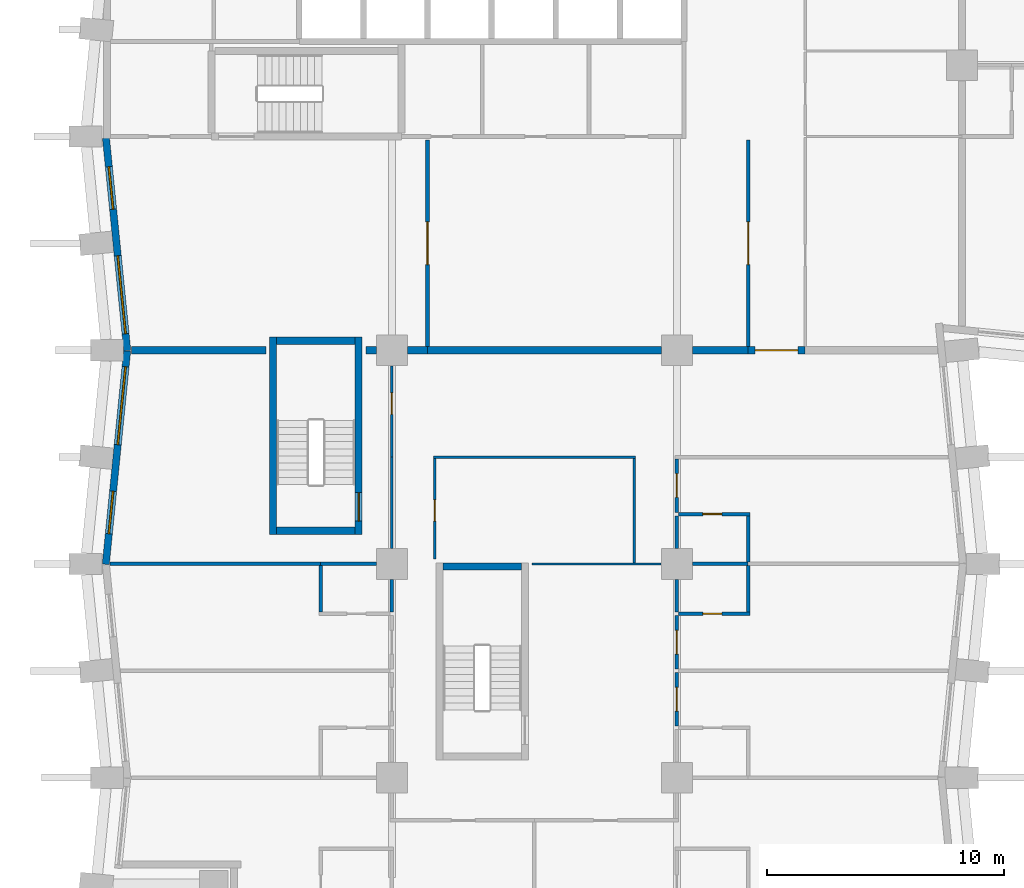
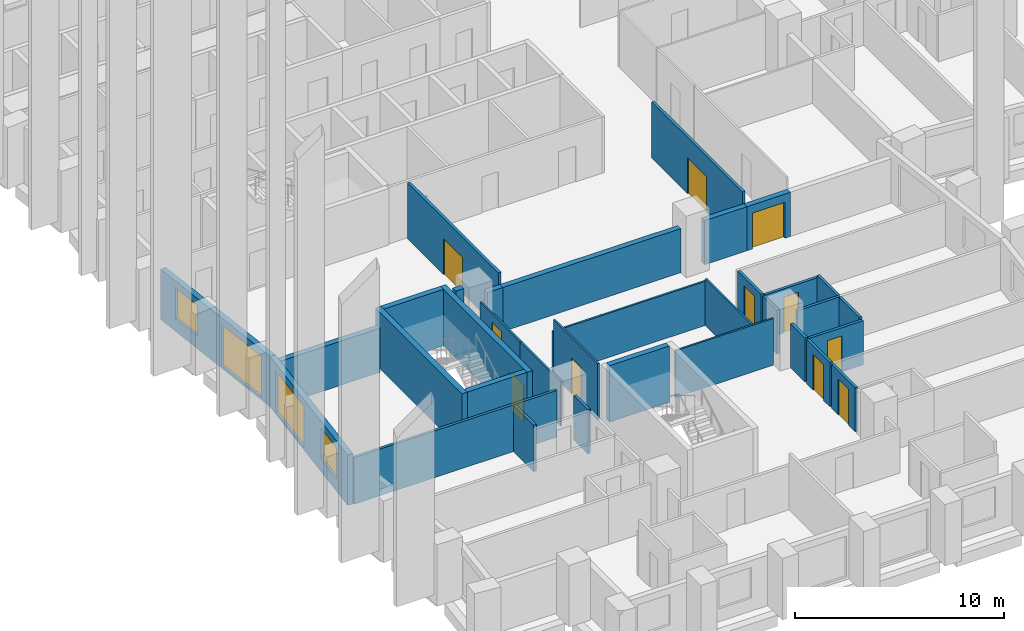
# One storey, part 4 of 13: 35 walls, 11 doors, 4 windows, 15 openings.
"""IFC4 building model written with IfcOpenShell, lengths in metres."""

from ifc_helpers import new_model, si_unit, direction, frame, frame_2d, origin, place, context, subcontext, project, spatial, rectangle, extrude, material, layer, layer_set, type_object, element, fill, save


model = new_model("IFC4")

# Units and contexts
model_context = context("Model", 3, precision=1e-05, world=origin(), true_north=direction((0.0, 1.0)))
body_context = subcontext(model_context, "Body", "Model", "MODEL_VIEW")
ifc_project = project(units=[si_unit("LENGTHUNIT", "METRE"), si_unit("AREAUNIT", "SQUARE_METRE"), si_unit("VOLUMEUNIT", "CUBIC_METRE"), si_unit("PLANEANGLEUNIT", "RADIAN"), si_unit("MASSUNIT", "GRAM", prefix="KILO")], contexts=[model_context])

# Site, building, storey
site_placement = place(None, origin())
site = spatial("IfcSite", under=ifc_project, at=site_placement, CompositionType="ELEMENT")
building_placement = place(site_placement, origin())
building = spatial("IfcBuilding", under=site, at=building_placement, Name="Brondeck Convention Tower", CompositionType="ELEMENT")
storey_placement = place(building_placement, frame((0.0, 0.0, 37.5)))
storey = spatial("IfcBuildingStorey", under=building, at=storey_placement, Name="L06", CompositionType="ELEMENT", Elevation=37.5)

# Walls
ifc_material_1 = material(Name="Concrete compartment wall C30/37", Category="concrete")
ifc_layer_1 = layer(ifc_material_1, 0.300048828125)
ifc_layer_set_1 = layer_set([ifc_layer_1], Name="Compartment wall 300")
wall_type_1 = type_object("IfcWallType", Name="Compartment wall 300", PredefinedType="PARTITIONING", material=ifc_layer_set_1)
wall_1_placement = place(storey_placement, frame((6.699951171875, 27.0, 0.0), z_axis=(0.0, 0.0, 1.0), x_axis=(-1.0, 0.0, 0.0)))
element("IfcWall", 1, at=wall_1_placement, inside=storey, type_object=wall_type_1, Name="FLR-L06-W051", PredefinedType="PARTITIONING", context=body_context, shape_type="SweptSolid", body=[
    extrude(rectangle(XDim=5.675048828125, YDim=0.300048828125, at=frame_2d((2.83740234375, 0.0))), origin(), (0.0, 0.0, 1.0), 2.580078125),
])
wall_2_placement = place(storey_placement, frame((11.344970703125, 27.0, 0.0), z_axis=(0.0, 0.0, 1.0), x_axis=(-1.0, 0.0, 0.0)))
element("IfcWall", 2, at=wall_2_placement, inside=storey, type_object=wall_type_1, Name="FLR-L06-W052", PredefinedType="PARTITIONING", context=body_context, shape_type="SweptSolid", body=[
    extrude(rectangle(XDim=0.445068359375, YDim=0.300048828125, at=frame_2d((0.22265625, 0.0))), origin(), (0.0, 0.0, 1.0), 3.280029296875),
])
wall_3_placement = place(storey_placement, frame((13.5, 27.0, 0.0), z_axis=(0.0, 0.0, 1.0), x_axis=(-1.0, 0.0, 0.0)))
element("IfcWall", 3, at=wall_3_placement, inside=storey, type_object=wall_type_1, Name="FLR-L06-W053", PredefinedType="PARTITIONING", context=body_context, shape_type="SweptSolid", body=[
    extrude(rectangle(XDim=0.844970703125, YDim=0.300048828125, at=frame_2d((0.42236328125, 0.0))), origin(), (0.0, 0.0, 1.0), 2.580078125),
])
wall_4_placement = place(storey_placement, frame((23.344970703125, 27.0, 0.0), z_axis=(0.0, 0.0, 1.0), x_axis=(-1.0, 0.0, 0.0)))
element("IfcWall", 4, at=wall_4_placement, inside=storey, type_object=wall_type_1, Name="FLR-L06-W054", PredefinedType="PARTITIONING", context=body_context, shape_type="SweptSolid", body=[
    extrude(rectangle(XDim=9.844970703125, YDim=0.300048828125, at=frame_2d((4.92236328125, 0.0))), origin(), (0.0, 0.0, 1.0), 2.580078125),
])
wall_5_placement = place(storey_placement, frame((27.0, 27.0, 0.0), z_axis=(0.0, 0.0, 1.0), x_axis=(-1.0, 0.0, 0.0)))
element("IfcWall", 5, at=wall_5_placement, inside=storey, type_object=wall_type_1, Name="FLR-L06-W055", PredefinedType="PARTITIONING", context=body_context, shape_type="SweptSolid", body=[
    extrude(rectangle(XDim=2.344970703125, YDim=0.300048828125, at=frame_2d((1.17236328125, 0.0))), origin(), (0.0, 0.0, 1.0), 2.580078125),
])

# Wall, opening, door
wall_6_placement = place(storey_placement, frame((29.39990234375, 27.0, 0.0), z_axis=(0.0, 0.0, 1.0), x_axis=(-1.0, 0.0, 0.0)))
wall_6 = element("IfcWall", 6, at=wall_6_placement, inside=storey, type_object=wall_type_1, Name="FLR-L06-W056", PredefinedType="PARTITIONING", context=body_context, shape_type="SweptSolid", body=[
    extrude(rectangle(XDim=2.39990234375, YDim=0.300048828125, at=frame_2d((1.199951171875, 0.0))), origin(), (0.0, 0.0, 1.0), 2.580078125),
])
opening_1_placement = place(wall_6_placement, frame((0.300048828125, 0.0, 0.0)))
opening_1 = element("IfcOpeningElement", 7, at=opening_1_placement, cuts=wall_6, Name="Opening H1-055", PredefinedType="OPENING", context=body_context, shape_type="SweptSolid", body=[
    extrude(rectangle(XDim=1.800048828125, YDim=2.10009765625, at=frame_2d((0.89990234375, 1.050048828125))), frame((0.0, 0.159912109375, 0.0), z_axis=(0.0, -1.0, 0.0), x_axis=(1.0, 0.0, 0.0)), (0.0, 0.0, 1.0), 0.320068359375),
])
ifc_material_2 = material(Name="Steel fire door pair", Category="steel")
door_type_1 = type_object("IfcDoorType", Name="Fire door pair 1800", OperationType="DOUBLE_DOOR_SINGLE_SWING", PredefinedType="DOOR", material=ifc_material_2)
door_1_placement = place(opening_1_placement, origin())
door_1 = element("IfcDoor", 8, at=door_1_placement, inside=storey, type_object=door_type_1, Name="Door H1-055", OperationType="DOUBLE_DOOR_SINGLE_SWING", OverallHeight=2.10009765625, OverallWidth=1.800048828125, PredefinedType="DOOR", context=body_context, shape_type="SweptSolid", body=[
    extrude(rectangle(XDim=1.800048828125, YDim=2.10009765625, at=frame_2d((0.89990234375, 1.050048828125))), frame((0.0, 0.02490234375, 0.0), z_axis=(0.0, -1.0, 0.0), x_axis=(1.0, 0.0, 0.0)), (0.0, 0.0, 1.0), 0.050048828125),
])
fill(opening_1, door_1)

# Wall, openings, windows
ifc_material_3 = material(Name="Precast concrete C50/60 bronze finish", Category="concrete")
ifc_layer_2 = layer(ifc_material_3, 0.070068359375, Name="Bronze precast facing")
ifc_material_4 = material(Name="Mineral wool")
ifc_layer_3 = layer(ifc_material_4, 0.159912109375, Name="Insulation")
ifc_material_5 = material(Name="Concrete C35/45", Category="concrete")
ifc_layer_4 = layer(ifc_material_5, 0.070068359375, Name="Backing")
ifc_layer_set_2 = layer_set([ifc_layer_2, ifc_layer_3, ifc_layer_4], Name="External infill wall, precast concrete C50/60 bronze facing")
wall_type_2 = type_object("IfcWallType", Name="External infill wall, precast concrete C50/60 bronze facing", PredefinedType="SOLIDWALL", material=ifc_layer_set_2)
wall_7_placement = place(storey_placement, frame((0.855712890625, 26.985107421875, 0.0), z_axis=(0.0, 0.0, 1.0), x_axis=(-0.099503719021, 0.99503719021, 0.0)))
wall_7 = element("IfcWall", 9, at=wall_7_placement, inside=storey, type_object=wall_type_2, Name="ENV-EW-L06-P0-B-W-06", PredefinedType="SOLIDWALL", context=body_context, shape_type="SweptSolid", body=[
    extrude(rectangle(XDim=8.994873046875, YDim=0.300048828125, at=frame_2d((4.49755859375, 0.0))), origin(), (0.0, 0.0, 1.0), 2.949951171875),
])
opening_2_placement = place(wall_7_placement, frame((0.711181640625, 0.0, 0.14990234375)))
opening_2 = element("IfcOpeningElement", 10, at=opening_2_placement, cuts=wall_7, Name="Opening W9", PredefinedType="OPENING", context=body_context, shape_type="SweptSolid", body=[
    extrude(rectangle(XDim=3.300048828125, YDim=2.39990234375, at=frame_2d((1.64990234375, 1.199951171875))), frame((0.0, 0.159912109375, 0.0), z_axis=(0.0, -1.0, 0.0), x_axis=(1.0, 0.0, 0.0)), (0.0, 0.0, 1.0), 0.320068359375),
])
opening_3_placement = place(wall_7_placement, frame((5.983642578125, 0.0, 0.75)))
opening_3 = element("IfcOpeningElement", 11, at=opening_3_placement, cuts=wall_7, Name="Opening W10", PredefinedType="OPENING", context=body_context, shape_type="SweptSolid", body=[
    extrude(rectangle(XDim=1.800048828125, YDim=1.800048828125, at=frame_2d((0.89990234375, 0.89990234375))), frame((0.0, 0.159912109375, 0.0), z_axis=(0.0, -1.0, 0.0), x_axis=(1.0, 0.0, 0.0)), (0.0, 0.0, 1.0), 0.320068359375),
])
ifc_material_6 = material(Name="Bronze tinted double glazing", Category="glass")
window_type_1 = type_object("IfcWindowType", Name="Glazed flute window, bronze tinted", PartitioningType="SINGLE_PANEL", PredefinedType="WINDOW", material=ifc_material_6)
window_1_placement = place(opening_2_placement, origin())
window_1 = element("IfcWindow", 12, at=window_1_placement, inside=storey, type_object=window_type_1, Name="ENV-WN-L06-P0-B-W-07", OverallHeight=2.39990234375, OverallWidth=3.300048828125, PartitioningType="SINGLE_PANEL", PredefinedType="WINDOW", context=body_context, shape_type="SweptSolid", body=[
    extrude(rectangle(XDim=3.300048828125, YDim=2.39990234375, at=frame_2d((1.64990234375, 1.199951171875))), frame((0.0, 0.030029296875, 0.0), z_axis=(0.0, -1.0, 0.0), x_axis=(1.0, 0.0, 0.0)), (0.0, 0.0, 1.0), 0.06005859375),
])
fill(opening_2, window_1)
window_type_2 = type_object("IfcWindowType", Name="Punched window, bronze tinted", PartitioningType="SINGLE_PANEL", PredefinedType="WINDOW", material=ifc_material_6)
window_2_placement = place(opening_3_placement, origin())
window_2 = element("IfcWindow", 13, at=window_2_placement, inside=storey, type_object=window_type_2, Name="ENV-WN-L06-P0-B-W-06", OverallHeight=1.800048828125, OverallWidth=1.800048828125, PartitioningType="SINGLE_PANEL", PredefinedType="WINDOW", context=body_context, shape_type="SweptSolid", body=[
    extrude(rectangle(XDim=1.800048828125, YDim=1.800048828125, at=frame_2d((0.89990234375, 0.89990234375))), frame((0.0, 0.030029296875, 0.0), z_axis=(0.0, -1.0, 0.0), x_axis=(1.0, 0.0, 0.0)), (0.0, 0.0, 1.0), 0.06005859375),
])
fill(opening_3, window_2)

wall_8_placement = place(storey_placement, frame((-0.04736328125, 17.985107421875, 0.0), z_axis=(0.0, 0.0, 1.0), x_axis=(0.099522457379, 0.995035316196, 0.0)))
wall_8 = element("IfcWall", 14, at=wall_8_placement, inside=storey, type_object=wall_type_2, Name="ENV-EW-L06-P0-B-W-08", PredefinedType="SOLIDWALL", context=body_context, shape_type="SweptSolid", body=[
    extrude(rectangle(XDim=9.030029296875, YDim=0.300048828125, at=frame_2d((4.51513671875, 0.0))), origin(), (0.0, 0.0, 1.0), 2.949951171875),
])
opening_4_placement = place(wall_8_placement, frame((1.291259765625, 0.0, 0.75)))
opening_4 = element("IfcOpeningElement", 15, at=opening_4_placement, cuts=wall_8, Name="Opening W10", PredefinedType="OPENING", context=body_context, shape_type="SweptSolid", body=[
    extrude(rectangle(XDim=1.800048828125, YDim=1.800048828125, at=frame_2d((0.89990234375, 0.89990234375))), frame((0.0, 0.159912109375, 0.0), z_axis=(0.0, -1.0, 0.0), x_axis=(1.0, 0.0, 0.0)), (0.0, 0.0, 1.0), 0.320068359375),
])
opening_5_placement = place(wall_8_placement, frame((5.063720703125, 0.0, 0.14990234375)))
opening_5 = element("IfcOpeningElement", 16, at=opening_5_placement, cuts=wall_8, Name="Opening W9", PredefinedType="OPENING", context=body_context, shape_type="SweptSolid", body=[
    extrude(rectangle(XDim=3.300048828125, YDim=2.39990234375, at=frame_2d((1.64990234375, 1.199951171875))), frame((0.0, 0.159912109375, 0.0), z_axis=(0.0, -1.0, 0.0), x_axis=(1.0, 0.0, 0.0)), (0.0, 0.0, 1.0), 0.320068359375),
])
window_3_placement = place(opening_5_placement, origin())
window_3 = element("IfcWindow", 17, at=window_3_placement, inside=storey, type_object=window_type_1, Name="ENV-WN-L06-P0-B-W-08", OverallHeight=2.39990234375, OverallWidth=3.300048828125, PartitioningType="SINGLE_PANEL", PredefinedType="WINDOW", context=body_context, shape_type="SweptSolid", body=[
    extrude(rectangle(XDim=3.300048828125, YDim=2.39990234375, at=frame_2d((1.64990234375, 1.199951171875))), frame((0.0, 0.030029296875, 0.0), z_axis=(0.0, -1.0, 0.0), x_axis=(1.0, 0.0, 0.0)), (0.0, 0.0, 1.0), 0.06005859375),
])
fill(opening_5, window_3)
window_4_placement = place(opening_4_placement, origin())
window_4 = element("IfcWindow", 18, at=window_4_placement, inside=storey, type_object=window_type_2, Name="ENV-WN-L06-P0-B-W-09", OverallHeight=1.800048828125, OverallWidth=1.800048828125, PartitioningType="SINGLE_PANEL", PredefinedType="WINDOW", context=body_context, shape_type="SweptSolid", body=[
    extrude(rectangle(XDim=1.800048828125, YDim=1.800048828125, at=frame_2d((0.89990234375, 0.89990234375))), frame((0.0, 0.030029296875, 0.0), z_axis=(0.0, -1.0, 0.0), x_axis=(1.0, 0.0, 0.0)), (0.0, 0.0, 1.0), 0.06005859375),
])
fill(opening_4, window_4)

# Wall, opening, door
ifc_material_7 = material(Name="Double gypsum board acoustic wall")
ifc_layer_5 = layer(ifc_material_7, 0.14990234375)
ifc_layer_set_3 = layer_set([ifc_layer_5], Name="Guest room party wall 150")
wall_type_3 = type_object("IfcWallType", Name="Guest room party wall 150", PredefinedType="PARTITIONING", material=ifc_layer_set_3)
wall_9_placement = place(storey_placement, frame((24.0, 13.425048828125, 0.0), z_axis=(0.0, 0.0, 1.0), x_axis=(0.0, -1.0, 0.0)))
wall_9 = element("IfcWall", 19, at=wall_9_placement, inside=storey, type_object=wall_type_3, Name="FLR-L06-W025", PredefinedType="PARTITIONING", context=body_context, shape_type="SweptSolid", body=[
    extrude(rectangle(XDim=2.25, YDim=0.14990234375, at=frame_2d((1.125, 0.0))), origin(), (0.0, 0.0, 1.0), 2.580078125),
])
opening_6_placement = place(wall_9_placement, frame((0.625, 0.0, 0.0)))
opening_6 = element("IfcOpeningElement", 20, at=opening_6_placement, cuts=wall_9, Name="Opening H1-039", PredefinedType="OPENING", context=body_context, shape_type="SweptSolid", body=[
    extrude(rectangle(XDim=1.0, YDim=2.10009765625, at=frame_2d((0.5, 1.050048828125))), frame((0.0, 0.0849609375, 0.0), z_axis=(0.0, -1.0, 0.0), x_axis=(1.0, 0.0, 0.0)), (0.0, 0.0, 1.0), 0.169921875),
])
ifc_material_8 = material(Name="Solid timber fire door leaf", Category="wood")
door_type_2 = type_object("IfcDoorType", Name="Guest room door 1000", OperationType="NOTDEFINED", PredefinedType="DOOR", material=ifc_material_8)
door_2_placement = place(opening_6_placement, origin())
door_2 = element("IfcDoor", 21, at=door_2_placement, inside=storey, type_object=door_type_2, Name="Door H1-039", OperationType="SINGLE_SWING_LEFT", OverallHeight=2.10009765625, OverallWidth=1.0, PredefinedType="DOOR", context=body_context, shape_type="SweptSolid", body=[
    extrude(rectangle(XDim=1.0, YDim=2.10009765625, at=frame_2d((0.5, 1.050048828125))), frame((0.0, 0.02490234375, 0.0), z_axis=(0.0, -1.0, 0.0), x_axis=(1.0, 0.0, 0.0)), (0.0, 0.0, 1.0), 0.050048828125),
])
fill(opening_6, door_2)

wall_10_placement = place(storey_placement, frame((24.0, 15.824951171875, 0.0), z_axis=(0.0, 0.0, 1.0), x_axis=(0.0, -1.0, 0.0)))
wall_10 = element("IfcWall", 22, at=wall_10_placement, inside=storey, type_object=wall_type_3, Name="FLR-L06-W029", PredefinedType="PARTITIONING", context=body_context, shape_type="SweptSolid", body=[
    extrude(rectangle(XDim=2.25, YDim=0.14990234375, at=frame_2d((1.125, 0.0))), origin(), (0.0, 0.0, 1.0), 2.580078125),
])
opening_7_placement = place(wall_10_placement, frame((0.625, 0.0, 0.0)))
opening_7 = element("IfcOpeningElement", 23, at=opening_7_placement, cuts=wall_10, Name="Opening H1-037", PredefinedType="OPENING", context=body_context, shape_type="SweptSolid", body=[
    extrude(rectangle(XDim=1.0, YDim=2.10009765625, at=frame_2d((0.5, 1.050048828125))), frame((0.0, 0.0849609375, 0.0), z_axis=(0.0, -1.0, 0.0), x_axis=(1.0, 0.0, 0.0)), (0.0, 0.0, 1.0), 0.169921875),
])
door_3_placement = place(opening_7_placement, origin())
door_3 = element("IfcDoor", 24, at=door_3_placement, inside=storey, type_object=door_type_2, Name="Door H1-037", OperationType="SINGLE_SWING_LEFT", OverallHeight=2.10009765625, OverallWidth=1.0, PredefinedType="DOOR", context=body_context, shape_type="SweptSolid", body=[
    extrude(rectangle(XDim=1.0, YDim=2.10009765625, at=frame_2d((0.5, 1.050048828125))), frame((0.0, 0.02490234375, 0.0), z_axis=(0.0, -1.0, 0.0), x_axis=(1.0, 0.0, 0.0)), (0.0, 0.0, 1.0), 0.050048828125),
])
fill(opening_7, door_3)

wall_11_placement = place(storey_placement, frame((24.074951171875, 15.89990234375, 0.0), z_axis=(0.0, 0.0, 1.0), x_axis=(1.0, 0.0, 0.0)))
wall_11 = element("IfcWall", 25, at=wall_11_placement, inside=storey, type_object=wall_type_3, Name="FLR-L06-W031", PredefinedType="PARTITIONING", context=body_context, shape_type="SweptSolid", body=[
    extrude(rectangle(XDim=3.0, YDim=0.14990234375, at=frame_2d((1.5, 0.0))), origin(), (0.0, 0.0, 1.0), 2.580078125),
])
opening_8_placement = place(wall_11_placement, frame((1.02490234375, 0.0, 0.0)))
opening_8 = element("IfcOpeningElement", 26, at=opening_8_placement, cuts=wall_11, Name="Opening H1-038", PredefinedType="OPENING", context=body_context, shape_type="SweptSolid", body=[
    extrude(rectangle(XDim=0.800048828125, YDim=2.10009765625, at=frame_2d((0.39990234375, 1.050048828125))), frame((0.0, 0.0849609375, 0.0), z_axis=(0.0, -1.0, 0.0), x_axis=(1.0, 0.0, 0.0)), (0.0, 0.0, 1.0), 0.169921875),
])
ifc_material_9 = material(Name="Solid timber door leaf", Category="wood")
door_type_3 = type_object("IfcDoorType", Name="En-suite door 800", OperationType="NOTDEFINED", PredefinedType="DOOR", material=ifc_material_9)
door_4_placement = place(opening_8_placement, origin())
door_4 = element("IfcDoor", 27, at=door_4_placement, inside=storey, type_object=door_type_3, Name="Door H1-038", OperationType="SINGLE_SWING_LEFT", OverallHeight=2.10009765625, OverallWidth=0.800048828125, PredefinedType="DOOR", context=body_context, shape_type="SweptSolid", body=[
    extrude(rectangle(XDim=0.800048828125, YDim=2.10009765625, at=frame_2d((0.39990234375, 1.050048828125))), frame((0.0, 0.02490234375, 0.0), z_axis=(0.0, -1.0, 0.0), x_axis=(1.0, 0.0, 0.0)), (0.0, 0.0, 1.0), 0.050048828125),
])
fill(opening_8, door_4)

# Walls
wall_12_placement = place(storey_placement, frame((12.0, 15.97509765625, 0.0), z_axis=(0.0, 0.0, 1.0), x_axis=(0.0, 1.0, 0.0)))
element("IfcWall", 28, at=wall_12_placement, inside=storey, type_object=wall_type_3, Name="FLR-L06-W032", PredefinedType="PARTITIONING", context=body_context, shape_type="SweptSolid", body=[
    extrude(rectangle(XDim=1.369873046875, YDim=0.14990234375, at=frame_2d((0.68505859375, 0.0))), origin(), (0.0, 0.0, 1.0), 2.580078125),
])
wall_13_placement = place(storey_placement, frame((27.0, 15.97509765625, 0.0), z_axis=(0.0, 0.0, 1.0), x_axis=(0.0, 1.0, 0.0)))
element("IfcWall", 29, at=wall_13_placement, inside=storey, type_object=wall_type_3, Name="FLR-L06-W033", PredefinedType="PARTITIONING", context=body_context, shape_type="SweptSolid", body=[
    extrude(rectangle(XDim=1.949951171875, YDim=0.14990234375, at=frame_2d((0.97509765625, 0.0))), origin(), (0.0, 0.0, 1.0), 2.72998046875),
])
wall_14_placement = place(storey_placement, frame((24.0, 17.344970703125, 0.0), z_axis=(0.0, 0.0, 1.0), x_axis=(0.0, -1.0, 0.0)))
element("IfcWall", 30, at=wall_14_placement, inside=storey, type_object=wall_type_3, Name="FLR-L06-W034", PredefinedType="PARTITIONING", context=body_context, shape_type="SweptSolid", body=[
    extrude(rectangle(XDim=1.369873046875, YDim=0.14990234375, at=frame_2d((0.68505859375, 0.0))), origin(), (0.0, 0.0, 1.0), 2.580078125),
])
wall_15_placement = place(storey_placement, frame((9.0, 17.925048828125, 0.0), z_axis=(0.0, 0.0, 1.0), x_axis=(0.0, -1.0, 0.0)))
element("IfcWall", 31, at=wall_15_placement, inside=storey, type_object=wall_type_3, Name="FLR-L06-W035", PredefinedType="PARTITIONING", context=body_context, shape_type="SweptSolid", body=[
    extrude(rectangle(XDim=1.949951171875, YDim=0.14990234375, at=frame_2d((0.97509765625, 0.0))), origin(), (0.0, 0.0, 1.0), 2.72998046875),
])
wall_16_placement = place(storey_placement, frame((9.0, 18.0, 0.0), z_axis=(0.0, 0.0, 1.0), x_axis=(-1.0, 0.0, 0.0)))
element("IfcWall", 32, at=wall_16_placement, inside=storey, type_object=wall_type_3, Name="FLR-L06-W036", PredefinedType="PARTITIONING", context=body_context, shape_type="SweptSolid", body=[
    extrude(rectangle(XDim=8.875, YDim=0.14990234375, at=frame_2d((4.4375, 0.0))), origin(), (0.0, 0.0, 1.0), 2.72998046875),
])
for number, where, z_axis, x_axis, name in (
    (33, (11.344970703125, 18.0, 0.0), (0.0, 0.0, 1.0), (-1.0, 0.0, 0.0), "FLR-L06-W037"),
    (34, (27.0, 18.0, 0.0), (0.0, 0.0, 1.0), (-1.0, 0.0, 0.0), "FLR-L06-W039"),
):
    element("IfcWall", number, at=place(storey_placement, frame(where, z_axis=z_axis, x_axis=x_axis)), inside=storey, type_object=wall_type_3, Name=name, PredefinedType="PARTITIONING", context=body_context, shape_type="SweptSolid", body=[
        extrude(rectangle(XDim=2.344970703125, YDim=0.14990234375, at=frame_2d((1.17236328125, 0.0))), origin(), (0.0, 0.0, 1.0), 2.72998046875),
    ])
wall_17_placement = place(storey_placement, frame((27.0, 18.074951171875, 0.0), z_axis=(0.0, 0.0, 1.0), x_axis=(0.0, 1.0, 0.0)))
element("IfcWall", 35, at=wall_17_placement, inside=storey, type_object=wall_type_3, Name="FLR-L06-W042", PredefinedType="PARTITIONING", context=body_context, shape_type="SweptSolid", body=[
    extrude(rectangle(XDim=1.949951171875, YDim=0.14990234375, at=frame_2d((0.97509765625, 0.0))), origin(), (0.0, 0.0, 1.0), 2.72998046875),
])
wall_18_placement = place(storey_placement, frame((24.0, 20.02490234375, 0.0), z_axis=(0.0, 0.0, 1.0), x_axis=(0.0, -1.0, 0.0)))
element("IfcWall", 36, at=wall_18_placement, inside=storey, type_object=wall_type_3, Name="FLR-L06-W043", PredefinedType="PARTITIONING", context=body_context, shape_type="SweptSolid", body=[
    extrude(rectangle(XDim=1.369873046875, YDim=0.14990234375, at=frame_2d((0.68505859375, 0.0))), origin(), (0.0, 0.0, 1.0), 2.580078125),
])

# Wall, opening, door
wall_19_placement = place(storey_placement, frame((27.074951171875, 20.10009765625, 0.0), z_axis=(0.0, 0.0, 1.0), x_axis=(-1.0, 0.0, 0.0)))
wall_19 = element("IfcWall", 37, at=wall_19_placement, inside=storey, type_object=wall_type_3, Name="FLR-L06-W044", PredefinedType="PARTITIONING", context=body_context, shape_type="SweptSolid", body=[
    extrude(rectangle(XDim=3.0, YDim=0.14990234375, at=frame_2d((1.5, 0.0))), origin(), (0.0, 0.0, 1.0), 2.580078125),
])
opening_9_placement = place(wall_19_placement, frame((1.175048828125, 0.0, 0.0)))
opening_9 = element("IfcOpeningElement", 38, at=opening_9_placement, cuts=wall_19, Name="Opening H1-036", PredefinedType="OPENING", context=body_context, shape_type="SweptSolid", body=[
    extrude(rectangle(XDim=0.800048828125, YDim=2.10009765625, at=frame_2d((0.39990234375, 1.050048828125))), frame((0.0, 0.0849609375, 0.0), z_axis=(0.0, -1.0, 0.0), x_axis=(1.0, 0.0, 0.0)), (0.0, 0.0, 1.0), 0.169921875),
])
door_5_placement = place(opening_9_placement, origin())
door_5 = element("IfcDoor", 39, at=door_5_placement, inside=storey, type_object=door_type_3, Name="Door H1-036", OperationType="SINGLE_SWING_LEFT", OverallHeight=2.10009765625, OverallWidth=0.800048828125, PredefinedType="DOOR", context=body_context, shape_type="SweptSolid", body=[
    extrude(rectangle(XDim=0.800048828125, YDim=2.10009765625, at=frame_2d((0.39990234375, 1.050048828125))), frame((0.0, 0.02490234375, 0.0), z_axis=(0.0, -1.0, 0.0), x_axis=(1.0, 0.0, 0.0)), (0.0, 0.0, 1.0), 0.050048828125),
])
fill(opening_9, door_5)

wall_20_placement = place(storey_placement, frame((24.0, 22.425048828125, 0.0), z_axis=(0.0, 0.0, 1.0), x_axis=(0.0, -1.0, 0.0)))
wall_20 = element("IfcWall", 40, at=wall_20_placement, inside=storey, type_object=wall_type_3, Name="FLR-L06-W045", PredefinedType="PARTITIONING", context=body_context, shape_type="SweptSolid", body=[
    extrude(rectangle(XDim=2.25, YDim=0.14990234375, at=frame_2d((1.125, 0.0))), origin(), (0.0, 0.0, 1.0), 2.580078125),
])
opening_10_placement = place(wall_20_placement, frame((0.625, 0.0, 0.0)))
opening_10 = element("IfcOpeningElement", 41, at=opening_10_placement, cuts=wall_20, Name="Opening H1-035", PredefinedType="OPENING", context=body_context, shape_type="SweptSolid", body=[
    extrude(rectangle(XDim=1.0, YDim=2.10009765625, at=frame_2d((0.5, 1.050048828125))), frame((0.0, 0.0849609375, 0.0), z_axis=(0.0, -1.0, 0.0), x_axis=(1.0, 0.0, 0.0)), (0.0, 0.0, 1.0), 0.169921875),
])
door_6_placement = place(opening_10_placement, origin())
door_6 = element("IfcDoor", 42, at=door_6_placement, inside=storey, type_object=door_type_2, Name="Door H1-035", OperationType="SINGLE_SWING_LEFT", OverallHeight=2.10009765625, OverallWidth=1.0, PredefinedType="DOOR", context=body_context, shape_type="SweptSolid", body=[
    extrude(rectangle(XDim=1.0, YDim=2.10009765625, at=frame_2d((0.5, 1.050048828125))), frame((0.0, 0.02490234375, 0.0), z_axis=(0.0, -1.0, 0.0), x_axis=(1.0, 0.0, 0.0)), (0.0, 0.0, 1.0), 0.050048828125),
])
fill(opening_10, door_6)

wall_21_placement = place(storey_placement, frame((27.0, 27.14990234375, 0.0), z_axis=(0.0, 0.0, 1.0), x_axis=(0.0, 1.0, 0.0)))
wall_21 = element("IfcWall", 43, at=wall_21_placement, inside=storey, type_object=wall_type_3, Name="FLR-L06-W058", PredefinedType="PARTITIONING", context=body_context, shape_type="SweptSolid", body=[
    extrude(rectangle(XDim=8.7001953125, YDim=0.14990234375, at=frame_2d((4.35009765625, 0.0))), origin(), (0.0, 0.0, 1.0), 3.280029296875),
])
opening_11_placement = place(wall_21_placement, frame((3.449951171875, 0.0, 0.0)))
opening_11 = element("IfcOpeningElement", 44, at=opening_11_placement, cuts=wall_21, Name="Opening H1-052", PredefinedType="OPENING", context=body_context, shape_type="SweptSolid", body=[
    extrude(rectangle(XDim=1.800048828125, YDim=2.10009765625, at=frame_2d((0.89990234375, 1.050048828125))), frame((0.0, 0.0849609375, 0.0), z_axis=(0.0, -1.0, 0.0), x_axis=(1.0, 0.0, 0.0)), (0.0, 0.0, 1.0), 0.169921875),
])
ifc_material_10 = material(Name="Glazed timber double door", Category="wood")
door_type_4 = type_object("IfcDoorType", Name="Double door 1800", OperationType="DOUBLE_DOOR_SINGLE_SWING", PredefinedType="DOOR", material=ifc_material_10)
door_7_placement = place(opening_11_placement, origin())
door_7 = element("IfcDoor", 45, at=door_7_placement, inside=storey, type_object=door_type_4, Name="Door H1-052", OperationType="DOUBLE_DOOR_SINGLE_SWING", OverallHeight=2.10009765625, OverallWidth=1.800048828125, PredefinedType="DOOR", context=body_context, shape_type="SweptSolid", body=[
    extrude(rectangle(XDim=1.800048828125, YDim=2.10009765625, at=frame_2d((0.89990234375, 1.050048828125))), frame((0.0, 0.02490234375, 0.0), z_axis=(0.0, -1.0, 0.0), x_axis=(1.0, 0.0, 0.0)), (0.0, 0.0, 1.0), 0.050048828125),
])
fill(opening_11, door_7)

wall_22_placement = place(storey_placement, frame((13.5, 27.14990234375, 0.0), z_axis=(0.0, 0.0, 1.0), x_axis=(0.0, 1.0, 0.0)))
wall_22 = element("IfcWall", 46, at=wall_22_placement, inside=storey, type_object=wall_type_3, Name="FLR-L06-W059", PredefinedType="PARTITIONING", context=body_context, shape_type="SweptSolid", body=[
    extrude(rectangle(XDim=8.7001953125, YDim=0.14990234375, at=frame_2d((4.35009765625, 0.0))), origin(), (0.0, 0.0, 1.0), 3.280029296875),
])
opening_12_placement = place(wall_22_placement, frame((3.449951171875, 0.0, 0.0)))
opening_12 = element("IfcOpeningElement", 47, at=opening_12_placement, cuts=wall_22, Name="Opening H1-053", PredefinedType="OPENING", context=body_context, shape_type="SweptSolid", body=[
    extrude(rectangle(XDim=1.800048828125, YDim=2.10009765625, at=frame_2d((0.89990234375, 1.050048828125))), frame((0.0, 0.0849609375, 0.0), z_axis=(0.0, -1.0, 0.0), x_axis=(1.0, 0.0, 0.0)), (0.0, 0.0, 1.0), 0.169921875),
])
door_8_placement = place(opening_12_placement, origin())
door_8 = element("IfcDoor", 48, at=door_8_placement, inside=storey, type_object=door_type_4, Name="Door H1-053", OperationType="DOUBLE_DOOR_SINGLE_SWING", OverallHeight=2.10009765625, OverallWidth=1.800048828125, PredefinedType="DOOR", context=body_context, shape_type="SweptSolid", body=[
    extrude(rectangle(XDim=1.800048828125, YDim=2.10009765625, at=frame_2d((0.89990234375, 1.050048828125))), frame((0.0, 0.02490234375, 0.0), z_axis=(0.0, -1.0, 0.0), x_axis=(1.0, 0.0, 0.0)), (0.0, 0.0, 1.0), 0.050048828125),
])
fill(opening_12, door_8)

# Walls
ifc_material_11 = material(Name="Gypsum board partition on steel studs", Category="steel")
ifc_layer_6 = layer(ifc_material_11, 0.10009765625)
ifc_layer_set_4 = layer_set([ifc_layer_6], Name="Room partition 100")
wall_type_4 = type_object("IfcWallType", Name="Room partition 100", PredefinedType="PARTITIONING", material=ifc_layer_set_4)
wall_23_placement = place(storey_placement, frame((23.330078125, 18.0, 0.0), z_axis=(0.0, 0.0, 1.0), x_axis=(-1.0, 0.0, 0.0)))
element("IfcWall", 49, at=wall_23_placement, inside=storey, type_object=wall_type_4, Name="FLR-L06-W038", PredefinedType="PARTITIONING", context=body_context, shape_type="SweptSolid", body=[
    extrude(rectangle(XDim=5.43017578125, YDim=0.10009765625, at=frame_2d((2.715087890625, 0.0))), origin(), (0.0, 0.0, 1.0), 2.72998046875),
])
wall_24_placement = place(storey_placement, frame((22.199951171875, 18.050048828125, 0.0), z_axis=(0.0, 0.0, 1.0), x_axis=(0.0, 1.0, 0.0)))
element("IfcWall", 50, at=wall_24_placement, inside=storey, type_object=wall_type_4, Name="FLR-L06-W041", PredefinedType="PARTITIONING", context=body_context, shape_type="SweptSolid", body=[
    extrude(rectangle(XDim=4.39990234375, YDim=0.10009765625, at=frame_2d((2.199951171875, 0.0))), origin(), (0.0, 0.0, 1.0), 2.72998046875),
])

# Wall, opening, door
wall_25_placement = place(storey_placement, frame((13.800048828125, 22.449951171875, 0.0), z_axis=(0.0, 0.0, 1.0), x_axis=(0.0, -1.0, 0.0)))
wall_25 = element("IfcWall", 51, at=wall_25_placement, inside=storey, type_object=wall_type_4, Name="FLR-L06-W046", PredefinedType="PARTITIONING", context=body_context, shape_type="SweptSolid", body=[
    extrude(rectangle(XDim=4.25, YDim=0.10009765625, at=frame_2d((2.125, 0.0))), origin(), (0.0, 0.0, 1.0), 3.280029296875),
])
opening_13_placement = place(wall_25_placement, frame((1.75, 0.0, 0.0)))
opening_13 = element("IfcOpeningElement", 52, at=opening_13_placement, cuts=wall_25, Name="Opening H1-041", PredefinedType="OPENING", context=body_context, shape_type="SweptSolid", body=[
    extrude(rectangle(XDim=0.89990234375, YDim=2.10009765625, at=frame_2d((0.449951171875, 1.050048828125))), frame((0.0, 0.06005859375, 0.0), z_axis=(0.0, -1.0, 0.0), x_axis=(1.0, 0.0, 0.0)), (0.0, 0.0, 1.0), 0.1201171875),
])
door_type_5 = type_object("IfcDoorType", Name="Single door 900", OperationType="NOTDEFINED", PredefinedType="DOOR", material=ifc_material_9)
door_9_placement = place(opening_13_placement, origin())
door_9 = element("IfcDoor", 53, at=door_9_placement, inside=storey, type_object=door_type_5, Name="Door H1-041", OperationType="SINGLE_SWING_LEFT", OverallHeight=2.10009765625, OverallWidth=0.89990234375, PredefinedType="DOOR", context=body_context, shape_type="SweptSolid", body=[
    extrude(rectangle(XDim=0.89990234375, YDim=2.10009765625, at=frame_2d((0.449951171875, 1.050048828125))), frame((0.0, 0.02490234375, 0.0), z_axis=(0.0, -1.0, 0.0), x_axis=(1.0, 0.0, 0.0)), (0.0, 0.0, 1.0), 0.050048828125),
])
fill(opening_13, door_9)

# Wall
wall_26_placement = place(storey_placement, frame((12.0, 22.5, 0.0), z_axis=(0.0, 0.0, 1.0), x_axis=(0.0, -1.0, 0.0)))
element("IfcWall", 54, at=wall_26_placement, inside=storey, type_object=wall_type_4, Name="FLR-L06-W047", PredefinedType="PARTITIONING", context=body_context, shape_type="SweptSolid", body=[
    extrude(rectangle(XDim=3.844970703125, YDim=0.10009765625, at=frame_2d((1.92236328125, 0.0))), origin(), (0.0, 0.0, 1.0), 2.580078125),
])

# Wall, opening, door
wall_27_placement = place(storey_placement, frame((12.0, 26.344970703125, 0.0), z_axis=(0.0, 0.0, 1.0), x_axis=(0.0, -1.0, 0.0)))
wall_27 = element("IfcWall", 55, at=wall_27_placement, inside=storey, type_object=wall_type_4, Name="FLR-L06-W048", PredefinedType="PARTITIONING", context=body_context, shape_type="SweptSolid", body=[
    extrude(rectangle(XDim=3.844970703125, YDim=0.10009765625, at=frame_2d((1.92236328125, 0.0))), origin(), (0.0, 0.0, 1.0), 2.580078125),
])
opening_14_placement = place(wall_27_placement, frame((1.14501953125, 0.0, 0.0)))
opening_14 = element("IfcOpeningElement", 56, at=opening_14_placement, cuts=wall_27, Name="Opening H1-030", PredefinedType="OPENING", context=body_context, shape_type="SweptSolid", body=[
    extrude(rectangle(XDim=0.89990234375, YDim=2.10009765625, at=frame_2d((0.449951171875, 1.050048828125))), frame((0.0, 0.06005859375, 0.0), z_axis=(0.0, -1.0, 0.0), x_axis=(1.0, 0.0, 0.0)), (0.0, 0.0, 1.0), 0.1201171875),
])
door_10_placement = place(opening_14_placement, origin())
door_10 = element("IfcDoor", 57, at=door_10_placement, inside=storey, type_object=door_type_5, Name="Door H1-030", OperationType="SINGLE_SWING_LEFT", OverallHeight=2.10009765625, OverallWidth=0.89990234375, PredefinedType="DOOR", context=body_context, shape_type="SweptSolid", body=[
    extrude(rectangle(XDim=0.89990234375, YDim=2.10009765625, at=frame_2d((0.449951171875, 1.050048828125))), frame((0.0, 0.02490234375, 0.0), z_axis=(0.0, -1.0, 0.0), x_axis=(1.0, 0.0, 0.0)), (0.0, 0.0, 1.0), 0.050048828125),
])
fill(opening_14, door_10)

# Walls
wall_28_placement = place(storey_placement, frame((22.25, 22.5, 0.0), z_axis=(0.0, 0.0, 1.0), x_axis=(-1.0, 0.0, 0.0)))
element("IfcWall", 58, at=wall_28_placement, inside=storey, type_object=wall_type_4, Name="FLR-L06-W049", PredefinedType="PARTITIONING", context=body_context, shape_type="SweptSolid", body=[
    extrude(rectangle(XDim=8.5, YDim=0.10009765625, at=frame_2d((4.25, 0.0))), origin(), (0.0, 0.0, 1.0), 2.580078125),
])
ifc_material_12 = material(Name="Concrete C80/95", Category="concrete")
ifc_layer_7 = layer(ifc_material_12, 0.300048828125)
ifc_layer_set_5 = layer_set([ifc_layer_7], Name="Stair enclosure wall 300 Concrete C80/95")
wall_type_5 = type_object("IfcWallType", Name="Stair enclosure wall 300 Concrete C80/95", PredefinedType="SHEAR", material=ifc_layer_set_5)
for number, where, z_axis, x_axis, name in (
    (59, (14.14990234375, 17.89990234375, 0.0), (0.0, 0.0, 1.0), (1.0, 0.0, 0.0), "L06 core wall"),
    (60, (7.14990234375, 19.39990234375, 0.0), (0.0, 0.0, 1.0), (1.0, 0.0, 0.0), "L06 core wall"),
    (61, (7.14990234375, 27.39990234375, 0.0), (0.0, 0.0, 1.0), (1.0, 0.0, 0.0), "L06 core wall"),
):
    element("IfcWall", number, at=place(storey_placement, frame(where, z_axis=z_axis, x_axis=x_axis)), inside=storey, type_object=wall_type_5, Name=name, PredefinedType="SHEAR", context=body_context, shape_type="SweptSolid", body=[
        extrude(rectangle(XDim=3.300048828125, YDim=0.300048828125, at=frame_2d((1.64990234375, 0.0))), origin(), (0.0, 0.0, 1.0), 3.300048828125),
    ])
wall_29_placement = place(storey_placement, frame((7.0, 19.25, 0.0), z_axis=(0.0, 0.0, 1.0), x_axis=(0.0, 1.0, 0.0)))
element("IfcWall", 62, at=wall_29_placement, inside=storey, type_object=wall_type_5, Name="L06 core wall", PredefinedType="SHEAR", context=body_context, shape_type="SweptSolid", body=[
    extrude(rectangle(XDim=8.300048828125, YDim=0.300048828125, at=frame_2d((4.14990234375, 0.0))), origin(), (0.0, 0.0, 1.0), 3.300048828125),
])

# Wall, opening, door
wall_30_placement = place(storey_placement, frame((10.60009765625, 19.25, 0.0), z_axis=(0.0, 0.0, 1.0), x_axis=(0.0, 1.0, 0.0)))
wall_30 = element("IfcWall", 63, at=wall_30_placement, inside=storey, type_object=wall_type_5, Name="L06 core wall", PredefinedType="SHEAR", context=body_context, shape_type="SweptSolid", body=[
    extrude(rectangle(XDim=8.300048828125, YDim=0.300048828125, at=frame_2d((4.14990234375, 0.0))), origin(), (0.0, 0.0, 1.0), 3.300048828125),
])
opening_15_placement = place(wall_30_placement, frame((0.550048828125, 0.0, 0.0)))
opening_15 = element("IfcOpeningElement", 64, at=opening_15_placement, cuts=wall_30, Name="Opening C08-19", PredefinedType="OPENING", context=body_context, shape_type="SweptSolid", body=[
    extrude(rectangle(XDim=1.199951171875, YDim=2.199951171875, at=frame_2d((0.60009765625, 1.10009765625))), frame((0.0, 0.159912109375, 0.0), z_axis=(0.0, -1.0, 0.0), x_axis=(1.0, 0.0, 0.0)), (0.0, 0.0, 1.0), 0.320068359375),
])
ifc_material_13 = material(Name="Steel fire door", Category="steel")
door_type_6 = type_object("IfcDoorType", Name="Stair door 1200x2200 EI 90", OperationType="NOTDEFINED", PredefinedType="DOOR", material=ifc_material_13)
door_11_placement = place(opening_15_placement, origin())
door_11 = element("IfcDoor", 65, at=door_11_placement, inside=storey, type_object=door_type_6, Name="L06 Stair door ST-BE", OperationType="SINGLE_SWING_RIGHT", OverallHeight=2.199951171875, OverallWidth=1.199951171875, PredefinedType="DOOR", context=body_context, shape_type="SweptSolid", body=[
    extrude(rectangle(XDim=1.199951171875, YDim=2.199951171875, at=frame_2d((0.60009765625, 1.10009765625))), frame((0.0, 0.02490234375, 0.0), z_axis=(0.0, -1.0, 0.0), x_axis=(1.0, 0.0, 0.0)), (0.0, 0.0, 1.0), 0.050048828125),
])
fill(opening_15, door_11)

save(model, "model.ifc")
